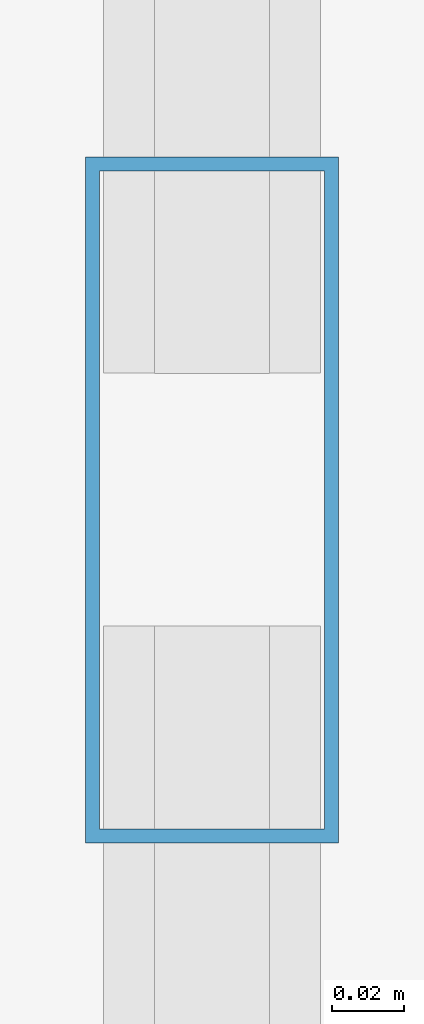
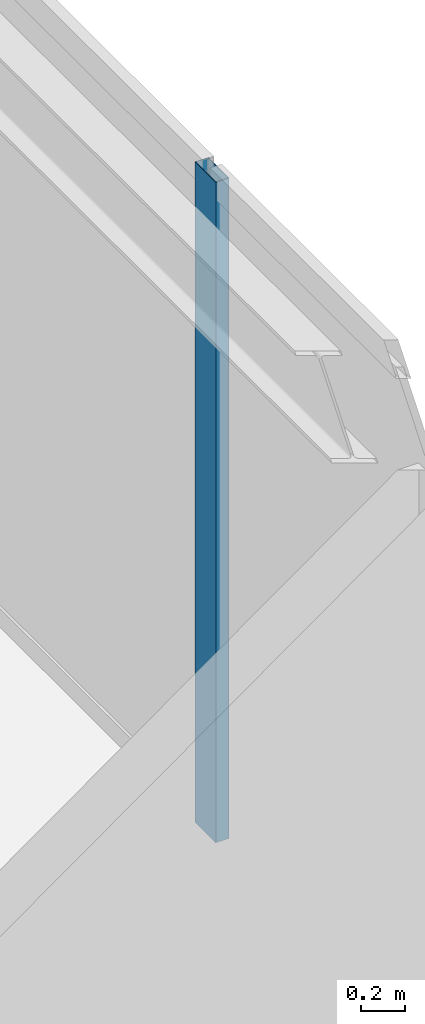
# One storey, part 19 of 35: 1 member, 1 element without a shape of its own.
"""IFC4 building model written with IfcOpenShell, lengths in metres."""

from ifc_helpers import new_model, si_unit, direction, frame, origin, origin_2d, place, context, subcontext, project, spatial, hollow_rectangle, extrude, source, transform, mapped, material, layer, layer_set, material_profile, profile_set, type_object, type_shapes, element, aggregate, save


model = new_model("IFC4")

# Units and contexts
model_context = context("Model", 3, precision=1e-05, world=origin(), true_north=direction((0.0, 1.0)))
body_context = subcontext(model_context, "Body", "Model", "MODEL_VIEW")
ifc_project = project(units=[si_unit("LENGTHUNIT", "METRE"), si_unit("AREAUNIT", "SQUARE_METRE"), si_unit("VOLUMEUNIT", "CUBIC_METRE"), si_unit("PLANEANGLEUNIT", "RADIAN"), si_unit("MASSUNIT", "GRAM", prefix="KILO")], contexts=[model_context])

# Site, building, storey
site_placement = place(None, origin())
site = spatial("IfcSite", under=ifc_project, at=site_placement, CompositionType="ELEMENT")
building_placement = place(site_placement, origin())
building = spatial("IfcBuilding", under=site, at=building_placement, Name="Varnel Quay Broadcast Tower", CompositionType="ELEMENT")
storey_placement = place(building_placement, frame((0.0, 0.0, 66.60009765625)))
storey = spatial("IfcBuildingStorey", under=building, at=storey_placement, Name="L15", CompositionType="ELEMENT", Elevation=66.60009765625)

# Curtain wall, member
ifc_material = material(Name="Anodised Bronze Aluminium 6063-T6", Category="aluminium")
ifc_layer = layer(ifc_material, 0.18994140625, Name="Anodised Bronze Aluminium 6063-T6")
ifc_layer_set = layer_set([ifc_layer], Name="Anodised Bronze Aluminium 6063-T6")
curtain_wall_type = type_object("IfcCurtainWallType", Name="CW_LowerTower", PredefinedType="NOTDEFINED", material=ifc_layer_set)
curtain_wall_placement = place(storey_placement, origin())
curtain_wall = element("IfcCurtainWall", 1, at=curtain_wall_placement, inside=storey, type_object=curtain_wall_type, Name="L15 East Unitised Curtain Wall", PredefinedType="NOTDEFINED")
ifc_material_profile = material_profile(ifc_material, hollow_rectangle(XDim=0.070068359375, YDim=0.18994140625, WallThickness=0.00390625, at=origin_2d()), Name="ALU70X190X4")
ifc_profile_set = profile_set([ifc_material_profile], Name="Anodised Bronze Aluminium 6063-T6")
member_type = type_object("IfcMemberType", Name="Mull_CWS-02", PredefinedType="MULLION", material=ifc_profile_set)
shared_shape = source(origin(), body_context, "Body", "SweptSolid", [
    extrude(hollow_rectangle(XDim=0.070068359375, YDim=0.18994140625, WallThickness=0.00390625, at=origin_2d()), origin(), (0.0, 0.0, 1.0), 3.64990234375),
])
type_shapes(member_type, [shared_shape])
member_placement = place(storey_placement, frame((65.85009765625, 30.39990234375, 0.0), z_axis=(0.0, 0.0, 1.0), x_axis=(-1.0, 0.0, 0.0)))
member = element("IfcMember", 2, at=member_placement, type_object=member_type, Name="CWS-02 mullion 3", PredefinedType="MULLION", context=body_context, shape_type="MappedRepresentation", body=[
    mapped(shared_shape, transform((0.0, 0.0, 0.0), x_axis=(1.0, 0.0, 0.0), y_axis=(0.0, 1.0, 0.0), z_axis=(0.0, 0.0, 1.0), scale=1.0)),
])
aggregate(curtain_wall, [member])

save(model, "model.ifc")
